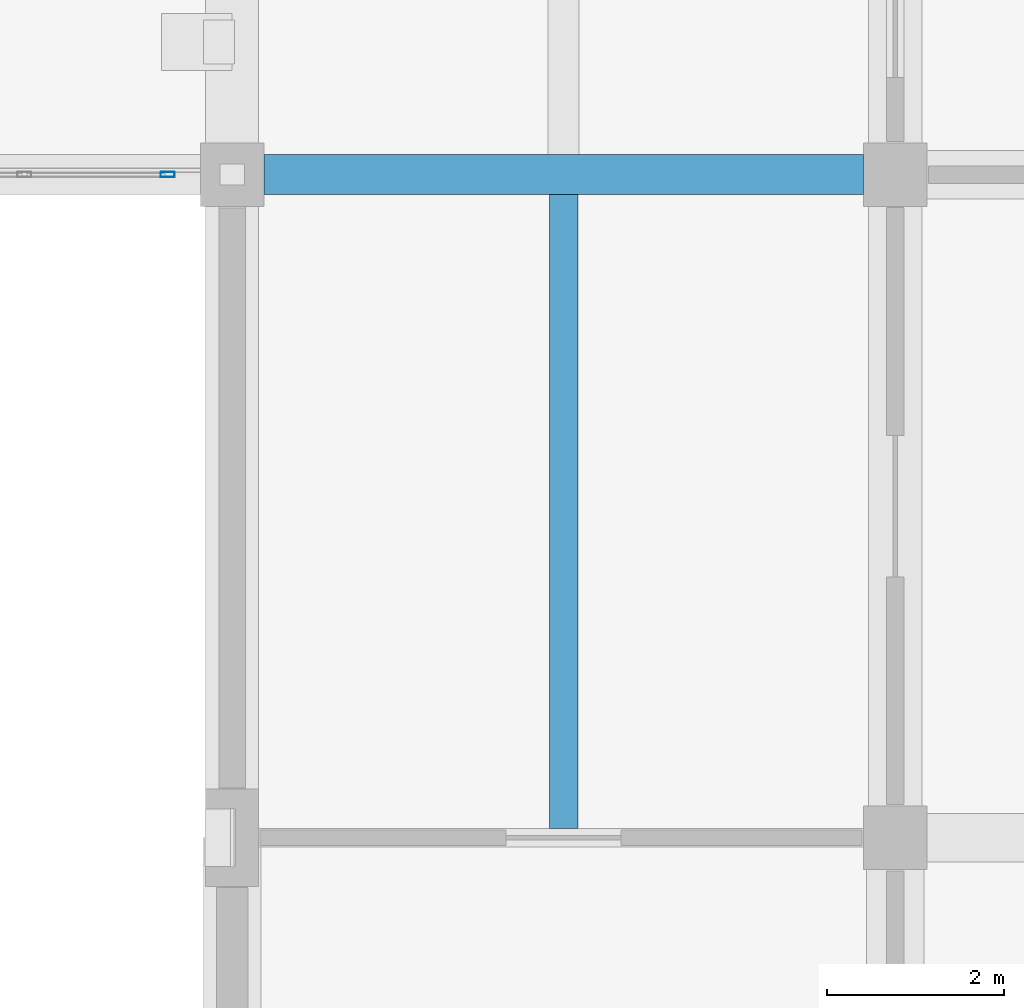
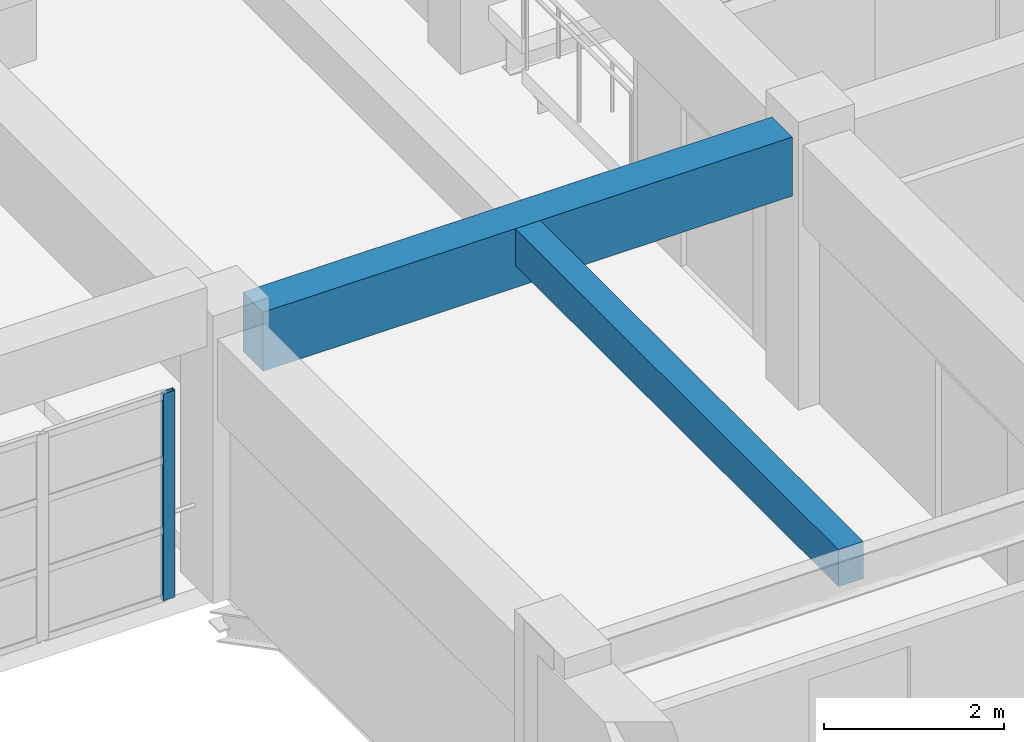
# One storey, part 18 of 101: 2 beams, 1 member, 1 element without a shape of its own.
"""IFC4 building model written with IfcOpenShell, lengths in metres."""

from ifc_helpers import new_model, si_unit, direction, frame, origin, origin_2d, place, context, subcontext, project, spatial, rectangle, hollow_rectangle, extrude, material, material_profile, profile_set, type_object, element, aggregate, save


model = new_model("IFC4")

# Units and contexts
model_context = context("Model", 3, precision=1e-05, world=origin(), true_north=direction((0.0, 1.0)))
body_context = subcontext(model_context, "Body", "Model", "MODEL_VIEW")
ifc_project = project(units=[si_unit("LENGTHUNIT", "METRE"), si_unit("AREAUNIT", "SQUARE_METRE"), si_unit("VOLUMEUNIT", "CUBIC_METRE"), si_unit("PLANEANGLEUNIT", "RADIAN"), si_unit("MASSUNIT", "GRAM", prefix="KILO")], contexts=[model_context])

# Site, building, storey
site_placement = place(None, origin())
site = spatial("IfcSite", under=ifc_project, at=site_placement, CompositionType="ELEMENT")
building_placement = place(site_placement, origin())
building = spatial("IfcBuilding", under=site, at=building_placement, Name="Qasida Concert Hall", CompositionType="ELEMENT")
storey_placement = place(building_placement, frame((0.0, 0.0, 13.199951171875)))
storey = spatial("IfcBuildingStorey", under=building, at=storey_placement, Name="L03", CompositionType="ELEMENT", Elevation=13.199951171875)

# Beams
ifc_material_1 = material(Name="Concrete C40/50", Category="concrete")
ifc_material_profile_1 = material_profile(ifc_material_1, rectangle(XDim=0.449951171875, YDim=0.800048828125, at=origin_2d()), Name="RC 450x800")
ifc_profile_set_1 = profile_set([ifc_material_profile_1], Name="Concrete C40/50")
beam_type_1 = type_object("IfcBeamType", Name="BM-G2", PredefinedType="USERDEFINED", material=ifc_profile_set_1)
beam_1_placement = place(storey_placement, frame((52.860107421875, 30.0, 3.219970703125), z_axis=(1.0, 0.0, 0.0), x_axis=(0.0, 1.0, 0.0)))
element("IfcBeam", 1, at=beam_1_placement, inside=storey, type_object=beam_type_1, Name="Primary girder 1515", ObjectType="GIRDER", PredefinedType="USERDEFINED", context=body_context, shape_type="SweptSolid", body=[
    extrude(rectangle(XDim=0.449951171875, YDim=0.800048828125, at=origin_2d()), origin(), (0.0, 0.0, 1.0), 6.77978515625),
])
ifc_material_profile_2 = material_profile(ifc_material_1, rectangle(XDim=0.320068359375, YDim=0.5, at=origin_2d()), Name="RC 320x500")
ifc_profile_set_2 = profile_set([ifc_material_profile_2], Name="Concrete C40/50")
beam_type_2 = type_object("IfcBeamType", Name="BM-J7", PredefinedType="JOIST", material=ifc_profile_set_2)
beam_2_placement = place(storey_placement, frame((56.25, 22.60498046875, 3.3701171875), z_axis=(0.0, 1.0, 0.0), x_axis=(-1.0, 0.0, 0.0)))
element("IfcBeam", 2, at=beam_2_placement, inside=storey, type_object=beam_type_2, Name="L03 secondary joist 1574", PredefinedType="JOIST", context=body_context, shape_type="SweptSolid", body=[
    extrude(rectangle(XDim=0.320068359375, YDim=0.5, at=origin_2d()), origin(), (0.0, 0.0, 1.0), 7.169921875),
])

# Curtain wall, member
ifc_material_2 = material(Name="Architectural bronze-anodized aluminium and low-E glass", Category="aluminium")
curtain_wall_type = type_object("IfcCurtainWallType", Name="CW-09", PredefinedType="NOTDEFINED", material=ifc_material_2)
curtain_wall_placement = place(storey_placement, origin())
curtain_wall = element("IfcCurtainWall", 3, at=curtain_wall_placement, inside=storey, type_object=curtain_wall_type, Name="L03 link bridge glazing 0208", PredefinedType="NOTDEFINED")
ifc_material_3 = material(Name="Architectural bronze-anodized aluminium EN AW-6063", Category="aluminium")
ifc_material_profile_3 = material_profile(ifc_material_3, hollow_rectangle(XDim=0.06005859375, YDim=0.159912109375, WallThickness=0.00390625, InnerFilletRadius=0.00390625, OuterFilletRadius=0.008056640625, at=origin_2d()), Name="CWM 160x60x4")
ifc_profile_set_3 = profile_set([ifc_material_profile_3], Name="Architectural bronze-anodized aluminium EN AW-6063")
member_type = type_object("IfcMemberType", Name="MB-CWM-3", PredefinedType="MULLION", material=ifc_profile_set_3)
member_placement = place(storey_placement, frame((51.77001953125, 30.0, 0.0), z_axis=(0.0, 0.0, 1.0), x_axis=(0.0, 1.0, 0.0)))
member = element("IfcMember", 4, at=member_placement, type_object=member_type, Name="CW-09 mullion 5", PredefinedType="MULLION", context=body_context, shape_type="SweptSolid", body=[
    extrude(hollow_rectangle(XDim=0.06005859375, YDim=0.159912109375, WallThickness=0.00390625, InnerFilletRadius=0.00390625, OuterFilletRadius=0.008056640625, at=origin_2d()), origin(), (0.0, 0.0, 1.0), 2.800048828125),
])
aggregate(curtain_wall, [member])

save(model, "model.ifc")
